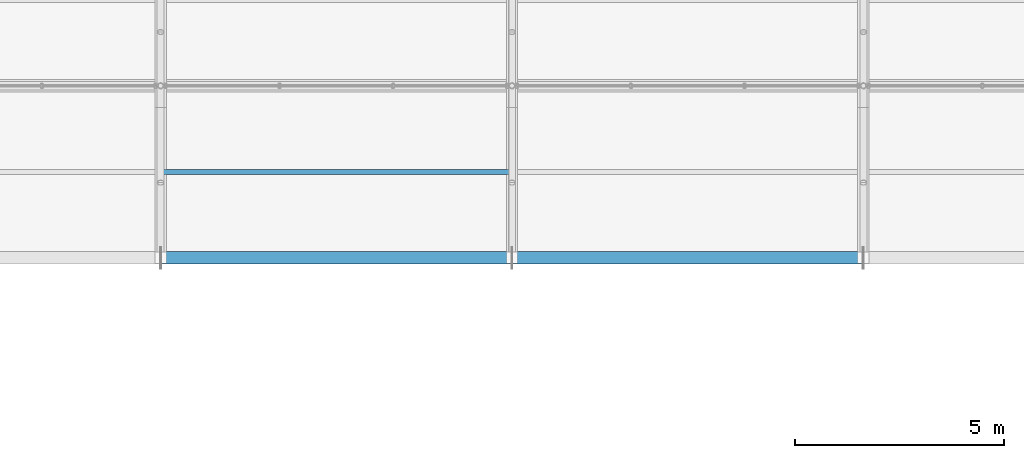
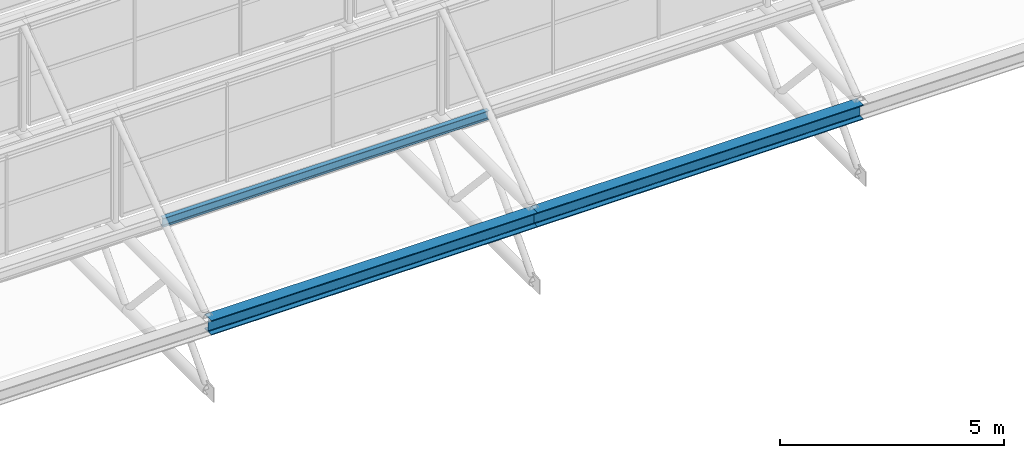
# One storey, part 55 of 134: 3 beams.
"""IFC4 building model written with IfcOpenShell, lengths in metres."""

from ifc_helpers import new_model, si_unit, derived_unit, direction, frame, origin, origin_2d, place, context, subcontext, project, spatial, i_section, extrude, material, material_profile, profile_set, type_object, element, save


model = new_model("IFC4")

# Units and contexts
model_context = context("Model", 3, precision=1e-05, world=origin(), true_north=direction((0.0, 1.0)))
body_context = subcontext(model_context, "Body", "Model", "MODEL_VIEW")
ifc_project = project(units=[si_unit("LENGTHUNIT", "METRE"), si_unit("AREAUNIT", "SQUARE_METRE"), si_unit("VOLUMEUNIT", "CUBIC_METRE"), si_unit("PLANEANGLEUNIT", "RADIAN"), si_unit("MASSUNIT", "GRAM", prefix="KILO"), derived_unit("THERMALTRANSMITTANCEUNIT", [(si_unit("MASSUNIT", "GRAM", prefix="KILO"), 1), (si_unit("TIMEUNIT", "SECOND"), -3), (si_unit("THERMODYNAMICTEMPERATUREUNIT", "KELVIN"), -1)])], contexts=[model_context])

# Site, building, storey
site_placement = place(None, origin())
site = spatial("IfcSite", under=ifc_project, at=site_placement, CompositionType="ELEMENT")
building_placement = place(site_placement, origin())
building = spatial("IfcBuilding", under=site, at=building_placement, Name="Kharveza Railside Sports Centre", CompositionType="ELEMENT")
storey_placement = place(building_placement, frame((0.0, 0.0, 12.89990234375)))
storey = spatial("IfcBuildingStorey", under=building, at=storey_placement, Name="L03", CompositionType="ELEMENT", Elevation=12.89990234375)

# Beams
ifc_material_1 = material(Name="Steel S355J2", Category="steel")
ifc_material_profile_1 = material_profile(ifc_material_1, i_section(OverallWidth=0.300048828125, OverallDepth=0.39990234375, WebThickness=0.013427734375, FlangeThickness=0.02392578125, FilletRadius=0.027099609375, at=origin_2d()), Name="HEB 400")
ifc_profile_set_1 = profile_set([ifc_material_profile_1], Name="Steel S355J2")
beam_type_1 = type_object("IfcBeamType", Name="BM-G07", PredefinedType="T_BEAM", material=ifc_profile_set_1)
beam_1_placement = place(storey_placement, frame((109.199951171875, 79.199951171875, 1.760009765625), z_axis=(1.0, 0.0, 0.0), x_axis=(0.0, 1.0, 0.0)))
element("IfcBeam", 1, at=beam_1_placement, inside=storey, type_object=beam_type_1, Name="BM-V2SAW-VAL-1-3", PredefinedType="T_BEAM", context=body_context, shape_type="SweptSolid", body=[
    extrude(i_section(OverallWidth=0.300048828125, OverallDepth=0.39990234375, WebThickness=0.013427734375, FlangeThickness=0.02392578125, FilletRadius=0.027099609375, at=origin_2d()), origin(), (0.0, 0.0, 1.0), 8.400146484375),
])
beam_2_placement = place(storey_placement, frame((117.60009765625, 79.199951171875, 1.760009765625), z_axis=(1.0, 0.0, 0.0), x_axis=(0.0, 1.0, 0.0)))
element("IfcBeam", 2, at=beam_2_placement, inside=storey, type_object=beam_type_1, Name="BM-V2SAW-VAL-1-4", PredefinedType="T_BEAM", context=body_context, shape_type="SweptSolid", body=[
    extrude(i_section(OverallWidth=0.300048828125, OverallDepth=0.39990234375, WebThickness=0.013427734375, FlangeThickness=0.02392578125, FilletRadius=0.027099609375, at=origin_2d()), origin(), (0.0, 0.0, 1.0), 8.39990234375),
])
ifc_material_2 = material(Name="Steel S275JR", Category="steel")
ifc_material_profile_2 = material_profile(ifc_material_2, i_section(OverallWidth=0.1201171875, OverallDepth=0.239990234375, WebThickness=0.006103515625, FlangeThickness=0.009765625, FilletRadius=0.014892578125, at=origin_2d()), Name="IPE 240")
ifc_profile_set_2 = profile_set([ifc_material_profile_2], Name="Steel S275JR")
beam_type_2 = type_object("IfcBeamType", Name="BM-J01", PredefinedType="JOIST", material=ifc_profile_set_2)
beam_3_placement = place(storey_placement, frame((109.199951171875, 81.257080078125, 3.320068359375), z_axis=(1.0, 0.0, 0.0), x_axis=(0.0, 1.0, 0.0)))
element("IfcBeam", 3, at=beam_3_placement, inside=storey, type_object=beam_type_2, Name="BM-V2SAW-PUR-1-3", PredefinedType="JOIST", context=body_context, shape_type="SweptSolid", body=[
    extrude(i_section(OverallWidth=0.1201171875, OverallDepth=0.239990234375, WebThickness=0.006103515625, FlangeThickness=0.009765625, FilletRadius=0.014892578125, at=origin_2d()), origin(), (0.0, 0.0, 1.0), 8.400146484375),
])

save(model, "model.ifc")
